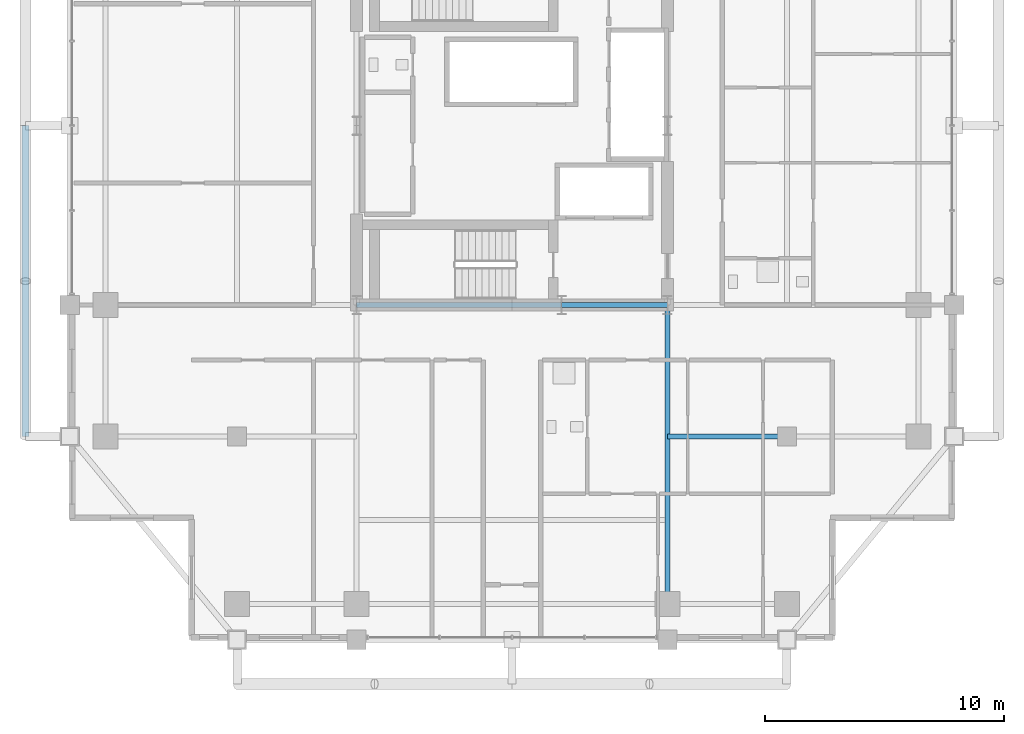
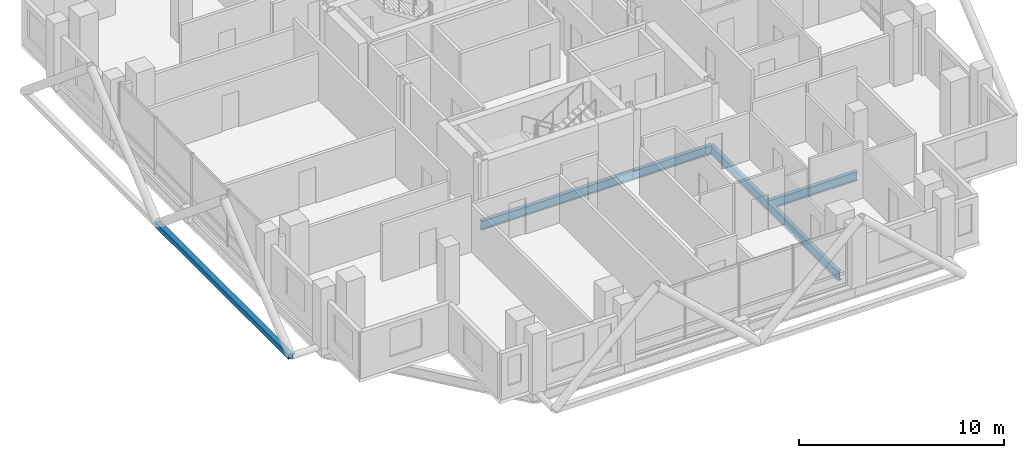
# One storey, part 6 of 26: 4 beams, 1 member.
"""IFC4 building model written with IfcOpenShell, lengths in metres."""

from ifc_helpers import new_model, si_unit, direction, frame, origin, origin_2d, place, context, subcontext, project, spatial, hollow_rectangle, i_section, extrude, material, material_profile, profile_set, type_object, element, save


model = new_model("IFC4")

# Units and contexts
model_context = context("Model", 3, precision=1e-05, world=origin(), true_north=direction((0.0, 1.0)))
body_context = subcontext(model_context, "Body", "Model", "MODEL_VIEW")
ifc_project = project(units=[si_unit("LENGTHUNIT", "METRE"), si_unit("AREAUNIT", "SQUARE_METRE"), si_unit("VOLUMEUNIT", "CUBIC_METRE"), si_unit("PLANEANGLEUNIT", "RADIAN"), si_unit("MASSUNIT", "GRAM", prefix="KILO")], contexts=[model_context])

# Site, building, storey
site_placement = place(None, origin())
site = spatial("IfcSite", under=ifc_project, at=site_placement, CompositionType="ELEMENT")
building_placement = place(site_placement, origin())
building = spatial("IfcBuilding", under=site, at=building_placement, Name="Barlavira Tower and Art Museum", CompositionType="ELEMENT")
storey_placement = place(building_placement, frame((0.0, 0.0, 176.39990234375)))
storey = spatial("IfcBuildingStorey", under=building, at=storey_placement, Name="L45", CompositionType="ELEMENT", Elevation=176.39990234375)

# Member
ifc_material = material(Name="Steel S355", Category="steel")
ifc_material_profile_1 = material_profile(ifc_material, hollow_rectangle(XDim=0.300048828125, YDim=0.300048828125, WallThickness=0.01611328125, at=origin_2d()), Name="SHS 300x300x16.0")
ifc_profile_set_1 = profile_set([ifc_material_profile_1], Name="Steel S355")
member_type = type_object("IfcMemberType", Name="Pale-Metal Upper Ring Strut SHS 300x300x16 Steel S355", PredefinedType="STRUT", material=ifc_profile_set_1)
member_placement = place(storey_placement, frame((-20.35009765625, -13.0, -0.119873046875), z_axis=(0.0, 1.0, 0.0), x_axis=(-1.0, 0.0, 0.0)))
element("IfcMember", 1, at=member_placement, inside=storey, type_object=member_type, Name="L45 Exoskeleton Ring Strut W", PredefinedType="STRUT", context=body_context, shape_type="SweptSolid", body=[
    extrude(hollow_rectangle(XDim=0.300048828125, YDim=0.300048828125, WallThickness=0.01611328125, at=origin_2d()), origin(), (0.0, 0.0, 1.0), 13.0),
])

# Beams
ifc_material_profile_2 = material_profile(ifc_material, i_section(OverallWidth=0.2109375, OverallDepth=0.5390625, WebThickness=0.01171875, FlangeThickness=0.018798828125, at=origin_2d()), Name="W530x109.0")
ifc_profile_set_2 = profile_set([ifc_material_profile_2], Name="Steel S355")
beam_type = type_object("IfcBeamType", Name="Zone 3-4 Primary Floor Girder W530x109 Steel S355", PredefinedType="BEAM", material=ifc_profile_set_2)
beam_1_placement = place(storey_placement, frame((-6.5, -7.5, -0.489501953125), z_axis=(1.0, 0.0, 0.0), x_axis=(0.0, 1.0, 0.0)))
element("IfcBeam", 2, at=beam_1_placement, inside=storey, type_object=beam_type, Name="L45 Girder C-S1", PredefinedType="BEAM", context=body_context, shape_type="SweptSolid", body=[
    extrude(i_section(OverallWidth=0.2109375, OverallDepth=0.5390625, WebThickness=0.01171875, FlangeThickness=0.018798828125, at=origin_2d()), origin(), (0.0, 0.0, 1.0), 8.580078125),
])
beam_2_placement = place(storey_placement, frame((2.080078125, -7.5, -0.489501953125), z_axis=(1.0, 0.0, 0.0), x_axis=(0.0, 1.0, 0.0)))
element("IfcBeam", 3, at=beam_2_placement, inside=storey, type_object=beam_type, Name="L45 Girder C-S2", PredefinedType="BEAM", context=body_context, shape_type="SweptSolid", body=[
    extrude(i_section(OverallWidth=0.2109375, OverallDepth=0.5390625, WebThickness=0.01171875, FlangeThickness=0.018798828125, at=origin_2d()), origin(), (0.0, 0.0, 1.0), 4.419921875),
])
beam_3_placement = place(storey_placement, frame((6.5, -20.0, -0.489501953125), z_axis=(0.0, 1.0, 0.0), x_axis=(-1.0, 0.0, 0.0)))
element("IfcBeam", 4, at=beam_3_placement, inside=storey, type_object=beam_type, Name="L45 Girder R-S2", PredefinedType="BEAM", context=body_context, shape_type="SweptSolid", body=[
    extrude(i_section(OverallWidth=0.2109375, OverallDepth=0.5390625, WebThickness=0.01171875, FlangeThickness=0.018798828125, at=origin_2d()), origin(), (0.0, 0.0, 1.0), 12.5),
])
beam_4_placement = place(storey_placement, frame((6.5, -13.0, -0.489501953125), z_axis=(1.0, 0.0, 0.0), x_axis=(0.0, 1.0, 0.0)))
element("IfcBeam", 5, at=beam_4_placement, inside=storey, type_object=beam_type, Name="L45 Girder I-S3", PredefinedType="BEAM", context=body_context, shape_type="SweptSolid", body=[
    extrude(i_section(OverallWidth=0.2109375, OverallDepth=0.5390625, WebThickness=0.01171875, FlangeThickness=0.018798828125, at=origin_2d()), origin(), (0.0, 0.0, 1.0), 5.0),
])

save(model, "model.ifc")
